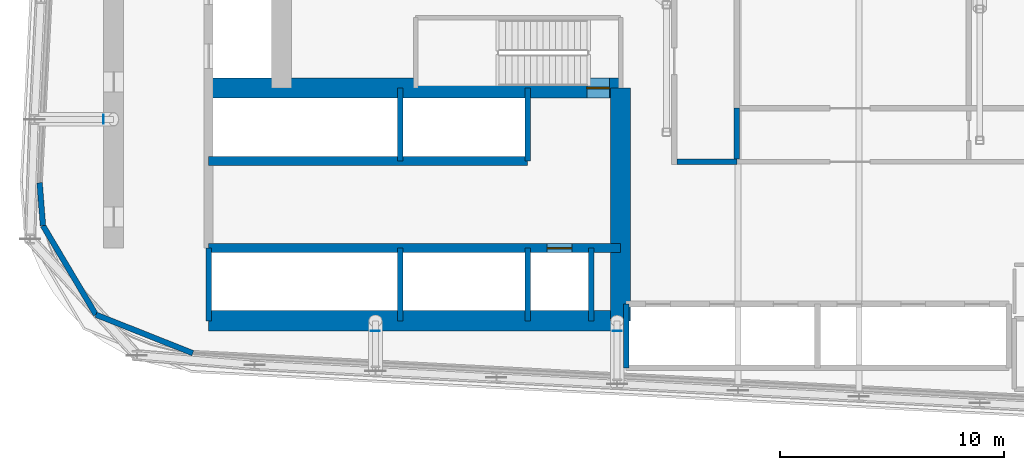
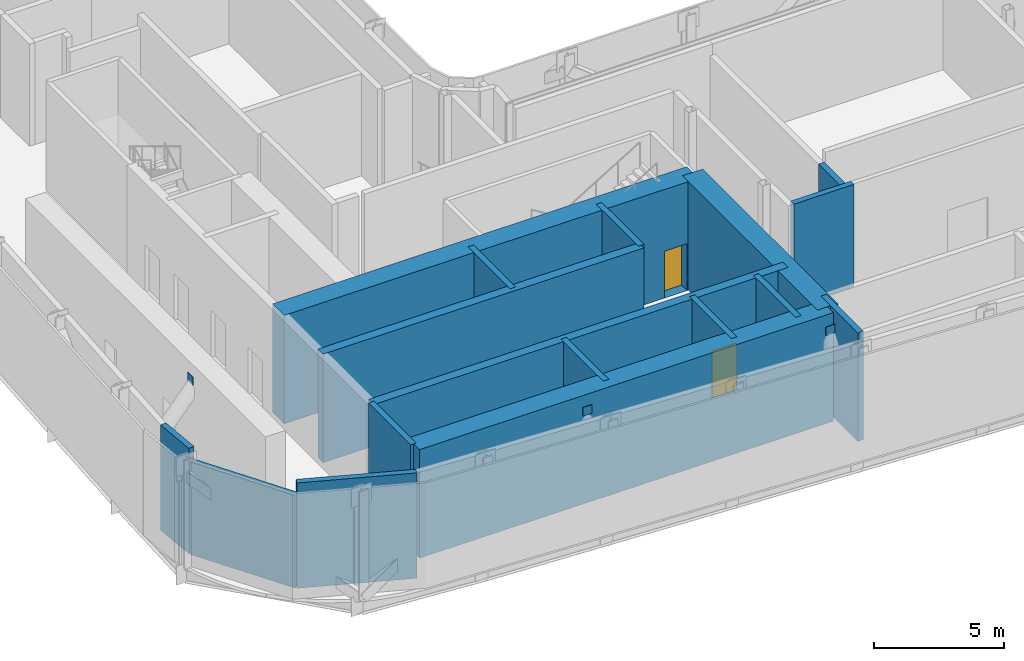
# One storey, part 17 of 30: 17 walls, 3 plates, 2 doors, 2 openings.
"""IFC4 building model written with IfcOpenShell, lengths in metres."""

from ifc_helpers import new_model, si_unit, direction, frame, frame_2d, origin, origin_2d, place, context, subcontext, project, spatial, rectangle, extrude, source, transform, mapped, material, layer, layer_set, type_object, element, fill, save


model = new_model("IFC4")

# Units and contexts
model_context = context("Model", 3, precision=1e-05, world=origin(), true_north=direction((0.0, 1.0)))
body_context = subcontext(model_context, "Body", "Model", "MODEL_VIEW")
ifc_project = project(units=[si_unit("LENGTHUNIT", "METRE"), si_unit("AREAUNIT", "SQUARE_METRE"), si_unit("VOLUMEUNIT", "CUBIC_METRE"), si_unit("PLANEANGLEUNIT", "RADIAN"), si_unit("MASSUNIT", "GRAM", prefix="KILO")], contexts=[model_context])

# Site, building, storey
site_placement = place(None, origin())
site = spatial("IfcSite", under=ifc_project, at=site_placement, CompositionType="ELEMENT")
building_placement = place(site_placement, origin())
building = spatial("IfcBuilding", under=site, at=building_placement, Name="Kheshtan School and Residences Tower", CompositionType="ELEMENT")
storey_placement = place(building_placement, frame((0.0, 0.0, 89.0)))
storey = spatial("IfcBuildingStorey", under=building, at=storey_placement, Name="L20", CompositionType="ELEMENT", Elevation=89.0)

# Plates
ifc_material_1 = material(Name="Steel ASTM A992 Grade 50", Category="steel")
ifc_layer_1 = layer(ifc_material_1, 0.02001953125)
ifc_layer_set_1 = layer_set([ifc_layer_1], Name="Cast-in plate 20 ASTM A992 Grade 50")
plate_type = type_object("IfcPlateType", Name="Cast-in plate 20 ASTM A992 Grade 50", PredefinedType="SHEET", material=ifc_layer_set_1)
for number, where, z_axis, x_axis, name in (
    (1, (53.0, 25.340087890625, 4.14697265625), (0.0, 0.0, 1.0), (1.0, 0.0, 0.0), "Cast-in plate"),
    (2, (30.0400390625, 34.800048828125, 4.14697265625), (0.0, 0.0, 1.0), (0.0, 1.0, 0.0), "Cast-in plate"),
    (3, (42.199951171875, 25.340087890625, 4.14697265625), (0.0, 0.0, 1.0), (1.0, 0.0, 0.0), "Cast-in plate"),
):
    element("IfcPlate", number, at=place(storey_placement, frame(where, z_axis=z_axis, x_axis=x_axis)), inside=storey, type_object=plate_type, Name=name, PredefinedType="SHEET", context=body_context, shape_type="SweptSolid", body=[
        extrude(rectangle(XDim=0.39990234375, YDim=0.02001953125, at=origin_2d()), origin(), (0.0, 0.0, 1.0), 0.39990234375),
    ])

# Wall, opening, door
ifc_material_2 = material(Name="Concrete C50/60", Category="concrete")
ifc_layer_2 = layer(ifc_material_2, 0.39990234375)
ifc_layer_set_2 = layer_set([ifc_layer_2], Name="Core wall 400 Concrete C50/60")
wall_type_1 = type_object("IfcWallType", Name="Core wall 400 Concrete C50/60", PredefinedType="SHEAR", material=ifc_layer_set_2)
wall_1_placement = place(storey_placement, frame((34.75, 29.050048828125, 0.0), z_axis=(0.0, 0.0, 1.0), x_axis=(1.0, 0.0, 0.0)))
wall_1 = element("IfcWall", 4, at=wall_1_placement, inside=storey, type_object=wall_type_1, Name="Core wall CW-HALL-S1", PredefinedType="SHEAR", context=body_context, shape_type="SweptSolid", body=[
    extrude(rectangle(XDim=18.39990234375, YDim=0.39990234375, at=frame_2d((9.199951171875, 0.0))), origin(), (0.0, 0.0, 1.0), 5.10009765625),
])
opening_1_placement = place(wall_1_placement, frame((15.125, 0.0, 0.0)))
opening_1 = element("IfcOpeningElement", 5, at=opening_1_placement, cuts=wall_1, Name="Opening LD", PredefinedType="OPENING", context=body_context, shape_type="SweptSolid", body=[
    extrude(rectangle(XDim=1.10009765625, YDim=2.199951171875, at=frame_2d((0.550048828125, 1.10009765625))), frame((0.0, 0.2099609375, 0.0), z_axis=(0.0, -1.0, 0.0), x_axis=(1.0, 0.0, 0.0)), (0.0, 0.0, 1.0), 0.419921875),
])
ifc_material_3 = material(Name="Stainless steel door leaves", Category="steel")
door_type_1 = type_object("IfcDoorType", Name="Lift landing door 1100", OperationType="SLIDING_TO_LEFT", PredefinedType="DOOR", material=ifc_material_3)
shared_shape_1 = source(origin(), body_context, "Body", "SweptSolid", [
    extrude(rectangle(XDim=1.10009765625, YDim=2.199951171875, at=frame_2d((0.550048828125, 1.10009765625))), frame((0.0, 0.02490234375, 0.0), z_axis=(0.0, -1.0, 0.0), x_axis=(1.0, 0.0, 0.0)), (0.0, 0.0, 1.0), 0.050048828125),
])
door_1_placement = place(opening_1_placement, origin())
door_1 = element("IfcDoor", 6, at=door_1_placement, inside=storey, type_object=door_type_1, Name="Lift FFL2 landing door", OperationType="SLIDING_TO_LEFT", OverallHeight=2.199951171875, OverallWidth=1.10009765625, PredefinedType="DOOR", context=body_context, shape_type="MappedRepresentation", body=[
    mapped(shared_shape_1, transform((0.0, 0.0, 0.0), x_axis=(1.0, 0.0, 0.0), y_axis=(0.0, 1.0, 0.0), z_axis=(0.0, 0.0, 1.0), scale=1.0)),
])
fill(opening_1, door_1)

# Walls
wall_2_placement = place(storey_placement, frame((34.75, 32.949951171875, 0.0), z_axis=(0.0, 0.0, 1.0), x_axis=(1.0, 0.0, 0.0)))
element("IfcWall", 7, at=wall_2_placement, inside=storey, type_object=wall_type_1, Name="Core wall CW-HALL-S2", PredefinedType="SHEAR", context=body_context, shape_type="SweptSolid", body=[
    extrude(rectangle(XDim=14.25, YDim=0.39990234375, at=frame_2d((7.125, 0.0))), origin(), (0.0, 0.0, 1.0), 5.10009765625),
])
ifc_material_4 = material(Name="Concrete C80/95", Category="concrete")
ifc_layer_3 = layer(ifc_material_4, 0.89990234375)
ifc_layer_set_3 = layer_set([ifc_layer_3], Name="Core wall 900 Concrete C80/95")
wall_type_2 = type_object("IfcWallType", Name="Core wall 900 Concrete C80/95", PredefinedType="SHEAR", material=ifc_layer_set_3)
wall_3_placement = place(storey_placement, frame((34.75, 25.800048828125, 0.0), z_axis=(0.0, 0.0, 1.0), x_axis=(1.0, 0.0, 0.0)))
element("IfcWall", 8, at=wall_3_placement, inside=storey, type_object=wall_type_2, Name="Core wall CW-REAR-S", PredefinedType="SHEAR", context=body_context, shape_type="SweptSolid", body=[
    extrude(rectangle(XDim=18.39990234375, YDim=0.89990234375, at=frame_2d((9.199951171875, 0.0))), origin(), (0.0, 0.0, 1.0), 5.10009765625),
])

# Wall, opening, door
wall_4_placement = place(storey_placement, frame((34.75, 36.199951171875, 0.0), z_axis=(0.0, 0.0, 1.0), x_axis=(1.0, 0.0, 0.0)))
wall_4 = element("IfcWall", 9, at=wall_4_placement, inside=storey, type_object=wall_type_2, Name="Core wall CW-FRONT-S", PredefinedType="SHEAR", context=body_context, shape_type="SweptSolid", body=[
    extrude(rectangle(XDim=18.39990234375, YDim=0.89990234375, at=frame_2d((9.199951171875, 0.0))), origin(), (0.0, 0.0, 1.0), 5.10009765625),
])
opening_2_placement = place(wall_4_placement, frame((16.89990234375, 0.0, 0.0)))
opening_2 = element("IfcOpeningElement", 10, at=opening_2_placement, cuts=wall_4, Name="Opening ST1D", PredefinedType="OPENING", context=body_context, shape_type="SweptSolid", body=[
    extrude(rectangle(XDim=1.0, YDim=2.199951171875, at=frame_2d((0.5, 1.10009765625))), frame((0.0, 0.4599609375, 0.0), z_axis=(0.0, -1.0, 0.0), x_axis=(1.0, 0.0, 0.0)), (0.0, 0.0, 1.0), 0.919921875),
])
ifc_material_5 = material(Name="Steel door leaf, galvanised", Category="steel")
door_type_2 = type_object("IfcDoorType", Name="Stair door 1100 steel 90 min", OperationType="SINGLE_SWING_LEFT", PredefinedType="DOOR", material=ifc_material_5)
shared_shape_2 = source(origin(), body_context, "Body", "SweptSolid", [
    extrude(rectangle(XDim=1.0, YDim=2.199951171875, at=frame_2d((0.5, 1.10009765625))), frame((0.0, 0.02490234375, 0.0), z_axis=(0.0, -1.0, 0.0), x_axis=(1.0, 0.0, 0.0)), (0.0, 0.0, 1.0), 0.050048828125),
])
door_2_placement = place(opening_2_placement, origin())
door_2 = element("IfcDoor", 11, at=door_2_placement, inside=storey, type_object=door_type_2, Name="Stair ST1 door", OperationType="SINGLE_SWING_RIGHT", OverallHeight=2.199951171875, OverallWidth=1.0, PredefinedType="DOOR", context=body_context, shape_type="MappedRepresentation", body=[
    mapped(shared_shape_2, transform((0.0, 0.0, 0.0), x_axis=(1.0, 0.0, 0.0), y_axis=(0.0, 1.0, 0.0), z_axis=(0.0, 0.0, 1.0), scale=1.0)),
])
fill(opening_2, door_2)

# Walls
wall_5_placement = place(storey_placement, frame((53.14990234375, 25.800048828125, 0.0), z_axis=(0.0, 0.0, 1.0), x_axis=(0.0, 1.0, 0.0)))
element("IfcWall", 12, at=wall_5_placement, inside=storey, type_object=wall_type_2, Name="Core wall CW-EAST", PredefinedType="SHEAR", context=body_context, shape_type="SweptSolid", body=[
    extrude(rectangle(XDim=10.39990234375, YDim=0.89990234375, at=frame_2d((5.199951171875, 0.0))), origin(), (0.0, 0.0, 1.0), 5.10009765625),
])
ifc_material_6 = material(Name="Concrete C40/50 with ceramic cladding and mineral wool insulation", Category="concrete")
ifc_layer_4 = layer(ifc_material_6, 0.25)
ifc_layer_set_4 = layer_set([ifc_layer_4], Name="External wall 250 ceramic clad")
wall_type_3 = type_object("IfcWallType", Name="External wall 250 ceramic clad", PredefinedType="SOLIDWALL", material=ifc_layer_set_4)
wall_6_placement = place(storey_placement, frame((34.0390625, 24.35302734375, 0.0), z_axis=(0.0, 0.0, 1.0), x_axis=(-0.929352825399, 0.369192803184, 0.0)))
element("IfcWall", 13, at=wall_6_placement, inside=storey, type_object=wall_type_3, Name="External wall L20 15", PredefinedType="SOLIDWALL", context=body_context, shape_type="SweptSolid", body=[
    extrude(rectangle(XDim=4.656005859375, YDim=0.25, at=frame_2d((2.328125, 0.0))), origin(), (0.0, 0.0, 1.0), 4.949951171875),
])
wall_7_placement = place(storey_placement, frame((29.7119140625, 26.072021484375, 0.0), z_axis=(0.0, 0.0, 1.0), x_axis=(-0.511028049012, 0.859564036662, 0.0)))
element("IfcWall", 14, at=wall_7_placement, inside=storey, type_object=wall_type_3, Name="External wall L20 16", PredefinedType="SOLIDWALL", context=body_context, shape_type="SweptSolid", body=[
    extrude(rectangle(XDim=4.633544921875, YDim=0.25, at=frame_2d((2.31689453125, 0.0))), origin(), (0.0, 0.0, 1.0), 4.346923828125),
])
wall_8_placement = place(storey_placement, frame((27.343994140625, 30.054931640625, 0.0), z_axis=(0.0, 0.0, 1.0), x_axis=(-0.077571675317, 0.99698677784, 0.0)))
element("IfcWall", 15, at=wall_8_placement, inside=storey, type_object=wall_type_3, Name="External wall L20 17", PredefinedType="SOLIDWALL", context=body_context, shape_type="SweptSolid", body=[
    extrude(rectangle(XDim=1.919921875, YDim=0.25, at=frame_2d((0.9599609375, 0.0))), origin(), (0.0, 0.0, 1.0), 4.949951171875),
])
ifc_material_7 = material(Name="Fire-board and steel stud wall with mineral wool", Category="steel")
ifc_layer_5 = layer(ifc_material_7, 0.25)
ifc_layer_set_5 = layer_set([ifc_layer_5], Name="Plant room wall 250")
wall_type_4 = type_object("IfcWallType", Name="Plant room wall 250", PredefinedType="PARTITIONING", material=ifc_layer_set_5)
wall_9_placement = place(storey_placement, frame((55.675048828125, 32.89990234375, 0.0), z_axis=(0.0, 0.0, 1.0), x_axis=(1.0, 0.0, 0.0)))
element("IfcWall", 16, at=wall_9_placement, inside=storey, type_object=wall_type_4, Name="Partition L20-039", PredefinedType="PARTITIONING", context=body_context, shape_type="SweptSolid", body=[
    extrude(rectangle(XDim=2.6728515625, YDim=0.25, at=frame_2d((1.33642578125, 0.0))), origin(), (0.0, 0.0, 1.0), 4.800048828125),
])
wall_10_placement = place(storey_placement, frame((58.347900390625, 33.02490234375, 0.0), z_axis=(0.0, 0.0, 1.0), x_axis=(0.0, 1.0, 0.0)))
element("IfcWall", 17, at=wall_10_placement, inside=storey, type_object=wall_type_4, Name="Partition L20-041", PredefinedType="PARTITIONING", context=body_context, shape_type="SweptSolid", body=[
    extrude(rectangle(XDim=2.275146484375, YDim=0.25, at=frame_2d((1.1376953125, 0.0))), origin(), (0.0, 0.0, 1.0), 4.27197265625),
])
ifc_material_8 = material(Name="Fire-board shaft wall system")
ifc_layer_6 = layer(ifc_material_8, 0.25)
ifc_layer_set_6 = layer_set([ifc_layer_6], Name="Shaft lining wall 250")
wall_type_5 = type_object("IfcWallType", Name="Shaft lining wall 250", PredefinedType="PARTITIONING", material=ifc_layer_set_6)
for number, where, z_axis, x_axis, name in (
    (18, (34.75, 25.800048828125, 0.0), (0.0, 0.0, 1.0), (0.0, 1.0, 0.0), "Shaft lining wall"),
    (19, (43.300048828125, 25.800048828125, 0.0), (0.0, 0.0, 1.0), (0.0, 1.0, 0.0), "Shaft lining wall"),
    (20, (43.300048828125, 32.949951171875, 0.0), (0.0, 0.0, 1.0), (0.0, 1.0, 0.0), "Shaft lining wall"),
    (21, (49.0, 25.800048828125, 0.0), (0.0, 0.0, 1.0), (0.0, 1.0, 0.0), "Shaft lining wall"),
    (22, (49.0, 32.949951171875, 0.0), (0.0, 0.0, 1.0), (0.0, 1.0, 0.0), "Shaft lining wall"),
    (23, (51.85009765625, 25.800048828125, 0.0), (0.0, 0.0, 1.0), (0.0, 1.0, 0.0), "Shaft lining wall"),
):
    element("IfcWall", number, at=place(storey_placement, frame(where, z_axis=z_axis, x_axis=x_axis)), inside=storey, type_object=wall_type_5, Name=name, PredefinedType="PARTITIONING", context=body_context, shape_type="SweptSolid", body=[
        extrude(rectangle(XDim=3.25, YDim=0.25, at=frame_2d((1.625, 0.0))), origin(), (0.0, 0.0, 1.0), 5.10009765625),
    ])
wall_11_placement = place(storey_placement, frame((53.39990234375, 23.699951171875, 0.0), z_axis=(0.0, 0.0, 1.0), x_axis=(0.0, 1.0, 0.0)))
element("IfcWall", 24, at=wall_11_placement, inside=storey, type_object=wall_type_5, Name="Shaft lining wall", PredefinedType="PARTITIONING", context=body_context, shape_type="SweptSolid", body=[
    extrude(rectangle(XDim=2.85009765625, YDim=0.25, at=frame_2d((1.425048828125, 0.0))), origin(), (0.0, 0.0, 1.0), 5.10009765625),
])

save(model, "model.ifc")
